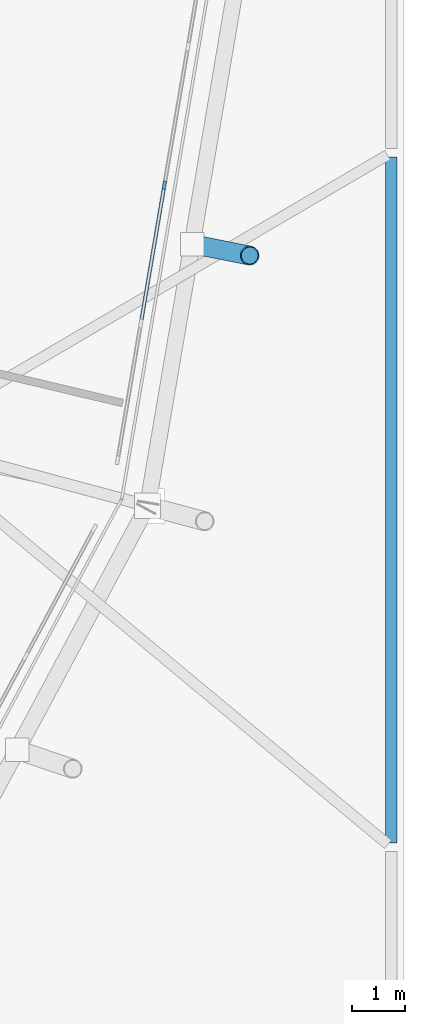
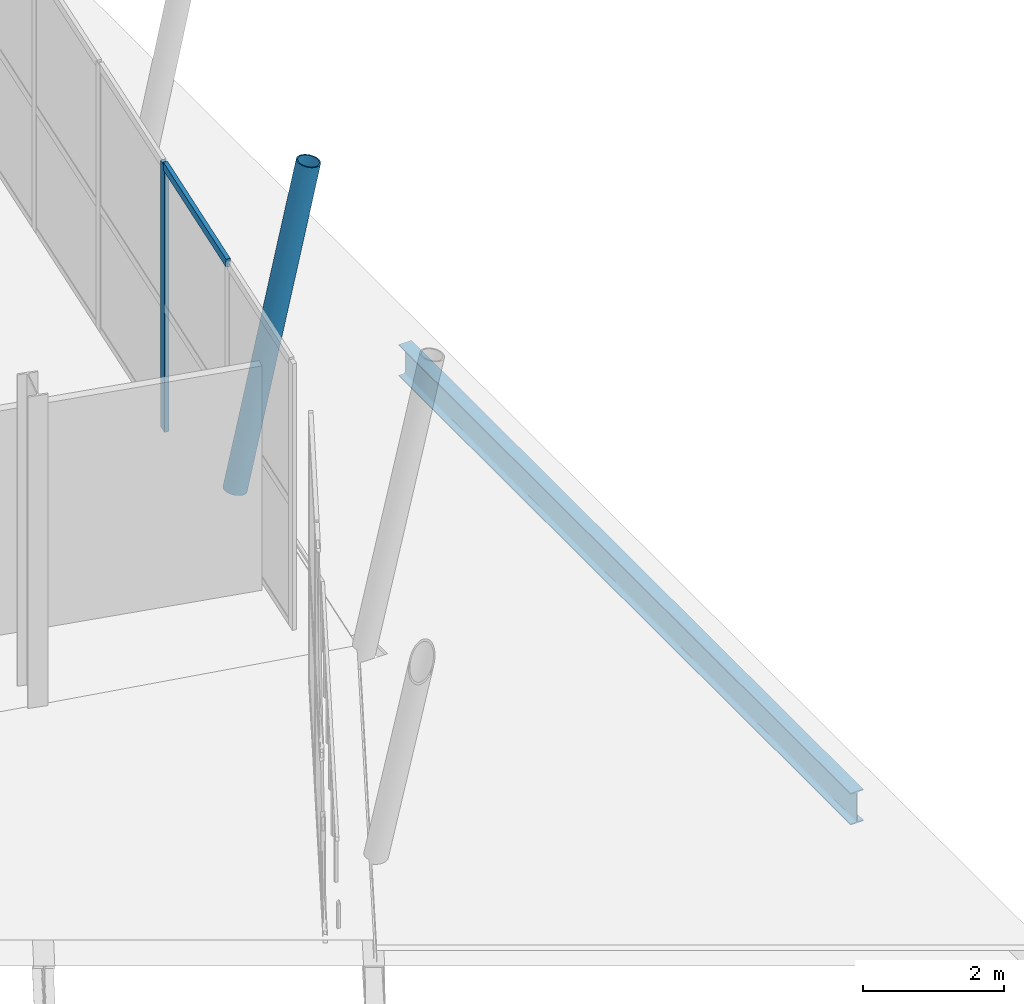
# One storey, part 43 of 126: 3 members, 1 beam, 1 element without a shape of its own.
"""IFC4 building model written with IfcOpenShell, lengths in metres."""

from ifc_helpers import new_model, si_unit, direction, frame, origin, origin_2d, place, context, subcontext, project, spatial, rectangle, hollow_circle, i_section, extrude, material, material_profile, profile_set, type_object, element, aggregate, save


model = new_model("IFC4")

# Units and contexts
model_context = context("Model", 3, precision=1e-05, world=origin(), true_north=direction((0.0, 1.0)))
body_context = subcontext(model_context, "Body", "Model", "MODEL_VIEW")
ifc_project = project(units=[si_unit("LENGTHUNIT", "METRE"), si_unit("AREAUNIT", "SQUARE_METRE"), si_unit("VOLUMEUNIT", "CUBIC_METRE"), si_unit("PLANEANGLEUNIT", "RADIAN"), si_unit("MASSUNIT", "GRAM", prefix="KILO")], contexts=[model_context])

# Site, building, storey
site_placement = place(None, origin())
site = spatial("IfcSite", under=ifc_project, at=site_placement, CompositionType="ELEMENT")
building_placement = place(site_placement, origin())
building = spatial("IfcBuilding", under=site, at=building_placement, Name="Zlatoyarsky Gate Stadium", CompositionType="ELEMENT")
storey_placement = place(building_placement, frame((0.0, 0.0, 20.800048828125)))
storey = spatial("IfcBuildingStorey", under=building, at=storey_placement, Name="L04", CompositionType="ELEMENT", Elevation=20.800048828125)

# Curtain wall, members
ifc_material_1 = material(Name="Thermally broken anodised aluminium curtain wall", Category="aluminium")
curtain_wall_type = type_object("IfcCurtainWallType", Name="UNITISED MEDIA RING GLAZING L04", PredefinedType="USERDEFINED", material=ifc_material_1)
curtain_wall_placement = place(storey_placement, origin())
curtain_wall = element("IfcCurtainWall", 1, at=curtain_wall_placement, inside=storey, type_object=curtain_wall_type, Name="Curtain wall CW-L04-23", ObjectType="UNITISED GLAZING", PredefinedType="USERDEFINED")
ifc_material_2 = material(Name="Anodised aluminium 6063-T6", Category="aluminium")
ifc_material_profile_1 = material_profile(ifc_material_2, rectangle(XDim=0.06494140625, YDim=0.159912109375, at=origin_2d()), Name="ALU 65X160")
ifc_profile_set_1 = profile_set([ifc_material_profile_1], Name="Anodised aluminium 6063-T6")
member_type_1 = type_object("IfcMemberType", Name="ALUMINIUM MULLION 65X160", PredefinedType="MULLION", material=ifc_profile_set_1)
member_1_placement = place(storey_placement, frame((205.75390625, 66.396484375, 0.0), z_axis=(0.0, 0.0, 1.0), x_axis=(-0.985817460475, 0.167821138782, 0.0)))
member_1 = element("IfcMember", 2, at=member_1_placement, type_object=member_type_1, Name="CW-UG4 mullion 3", PredefinedType="MULLION", context=body_context, shape_type="SweptSolid", body=[
    extrude(rectangle(XDim=0.06494140625, YDim=0.159912109375, at=origin_2d()), origin(), (0.0, 0.0, 1.0), 4.619873046875),
])
ifc_material_profile_2 = material_profile(ifc_material_2, rectangle(XDim=0.06494140625, YDim=0.139892578125, at=origin_2d()), Name="ALU 65X140")
ifc_profile_set_2 = profile_set([ifc_material_profile_2], Name="Anodised aluminium 6063-T6")
member_type_2 = type_object("IfcMemberType", Name="ALUMINIUM TRANSOM 65X140", PredefinedType="USERDEFINED", material=ifc_profile_set_2)
member_2_placement = place(storey_placement, frame((205.31787109375, 63.8359375, 4.58740234375), z_axis=(0.167809188873, 0.9858194947, 0.0), x_axis=(-0.9858194947, 0.167809188873, 0.0)))
member_2 = element("IfcMember", 3, at=member_2_placement, type_object=member_type_2, Name="CW-UG4 transom 2.3", ObjectType="TRANSOM", PredefinedType="USERDEFINED", context=body_context, shape_type="SweptSolid", body=[
    extrude(rectangle(XDim=0.06494140625, YDim=0.139892578125, at=origin_2d()), origin(), (0.0, 0.0, 1.0), 2.56494140625),
])
aggregate(curtain_wall, [member_1, member_2])

# Beam
ifc_material_3 = material(Name="Steel S355", Category="steel")
ifc_material_profile_3 = material_profile(ifc_material_3, i_section(OverallWidth=0.2099609375, OverallDepth=0.550048828125, WebThickness=0.010986328125, FlangeThickness=0.01708984375, FilletRadius=0.02392578125, at=origin_2d()), Name="IPE 550")
ifc_profile_set_3 = profile_set([ifc_material_profile_3], Name="Steel S355")
beam_type = type_object("IfcBeamType", Name="STEEL FLOOR BEAM IPE 550", PredefinedType="BEAM", material=ifc_profile_set_3)
beam_placement = place(storey_placement, frame((210.0, 54.080078125, -0.574951171875), z_axis=(0.0, 1.0, 0.0), x_axis=(-1.0, 0.0, 0.0)))
element("IfcBeam", 4, at=beam_placement, inside=storey, type_object=beam_type, Name="Beam B-IPE550 BM-L04-WGY-18-F", PredefinedType="BEAM", context=body_context, shape_type="SweptSolid", body=[
    extrude(i_section(OverallWidth=0.2099609375, OverallDepth=0.550048828125, WebThickness=0.010986328125, FlangeThickness=0.01708984375, FilletRadius=0.02392578125, at=origin_2d()), origin(), (0.0, 0.0, 1.0), 12.83984375),
])

# Member
ifc_material_profile_4 = material_profile(ifc_material_3, hollow_circle(Radius=0.177734375, WallThickness=0.02001953125, at=origin_2d()), Name="CHS 355.6X20")
ifc_profile_set_4 = profile_set([ifc_material_profile_4], Name="Steel S355")
member_type_3 = type_object("IfcMemberType", Name="STEEL LEANING RIB RING STRUT CHS 355.6X20", PredefinedType="STRUT", material=ifc_profile_set_4)
member_3_placement = place(storey_placement, frame((206.27099609375, 65.2919921875, -0.550048828125), z_axis=(0.194640586838, -0.038752171074, 0.980108826199), x_axis=(0.195263604885, 0.980750796384, 0.0)))
element("IfcMember", 5, at=member_3_placement, inside=storey, type_object=member_type_3, Name="Outward-leaning bowl louvre fin rib L04 23-1", PredefinedType="STRUT", context=body_context, shape_type="SweptSolid", body=[
    extrude(hollow_circle(Radius=0.177734375, WallThickness=0.02001953125, at=origin_2d()), origin(), (0.0, 0.0, 1.0), 5.55029296875),
])

save(model, "model.ifc")
